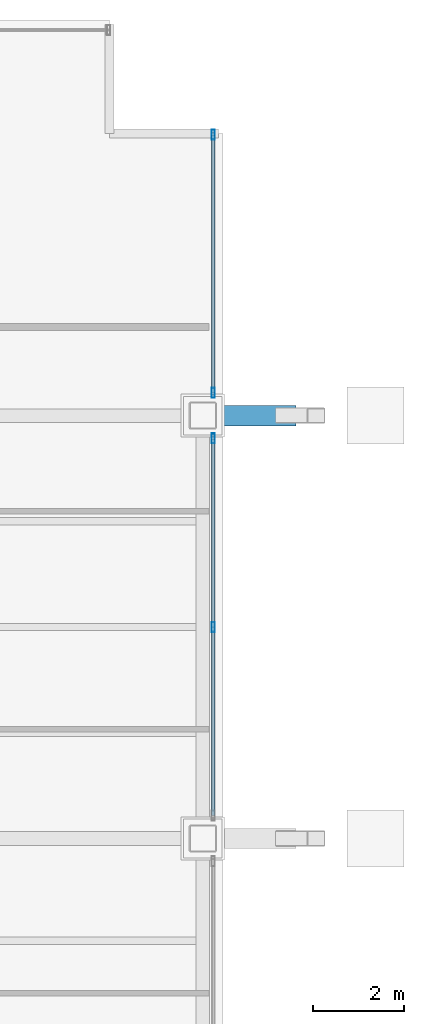
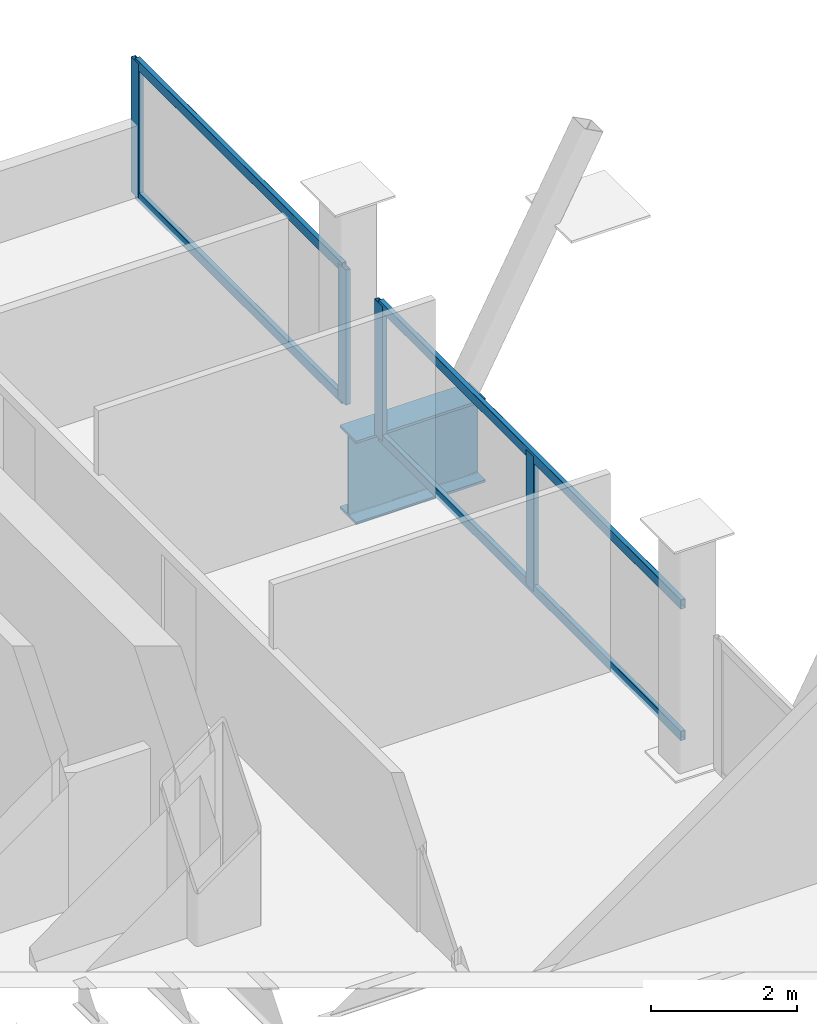
# One storey, part 13 of 21: 8 members, 1 beam, 2 elements without a shape of their own.
"""IFC4 building model written with IfcOpenShell, lengths in metres."""

from ifc_helpers import new_model, si_unit, direction, frame, origin, origin_2d, place, context, subcontext, project, spatial, hollow_rectangle, i_section, extrude, material, material_profile, profile_set, type_object, element, aggregate, save


model = new_model("IFC4")

# Units and contexts
model_context = context("Model", 3, precision=1e-05, world=origin(), true_north=direction((0.0, 1.0)))
body_context = subcontext(model_context, "Body", "Model", "MODEL_VIEW")
ifc_project = project(units=[si_unit("LENGTHUNIT", "METRE"), si_unit("AREAUNIT", "SQUARE_METRE"), si_unit("VOLUMEUNIT", "CUBIC_METRE"), si_unit("PLANEANGLEUNIT", "RADIAN"), si_unit("MASSUNIT", "GRAM", prefix="KILO")], contexts=[model_context])

# Site, building, storey
site_placement = place(None, origin())
site = spatial("IfcSite", under=ifc_project, at=site_placement, CompositionType="ELEMENT")
building_placement = place(site_placement, origin())
building = spatial("IfcBuilding", under=site, at=building_placement, Name="Noeulbin Bourse Tower", CompositionType="ELEMENT")
storey_placement = place(building_placement, frame((0.0, 0.0, 49.89990234375)))
storey = spatial("IfcBuildingStorey", under=building, at=storey_placement, Name="L12", CompositionType="ELEMENT", Elevation=49.89990234375)

# Beam
ifc_material_1 = material(Name="Steel S460", Category="steel")
ifc_material_profile_1 = material_profile(ifc_material_1, i_section(OverallWidth=0.449951171875, OverallDepth=1.39990234375, WebThickness=0.02392578125, FlangeThickness=0.0400390625, FilletRadius=0.02392578125, at=origin_2d()), Name="PG-1400x450x24x40", Category="LoadBearing")
ifc_profile_set_1 = profile_set([ifc_material_profile_1], Name="Steel S460")
beam_type = type_object("IfcBeamType", Name="BM-TRF-1400", PredefinedType="USERDEFINED", material=ifc_profile_set_1)
beam_placement = place(storey_placement, frame((51.550048828125, 38.300048828125, -0.8798828125), z_axis=(1.0, 0.0, 0.0), x_axis=(0.0, 1.0, 0.0)))
element("IfcBeam", 1, at=beam_placement, inside=storey, type_object=beam_type, Name="Transfer Outrigger Corbel L12-03", ObjectType="GIRDER", PredefinedType="USERDEFINED", context=body_context, shape_type="SweptSolid", body=[
    extrude(i_section(OverallWidth=0.449951171875, OverallDepth=1.39990234375, WebThickness=0.02392578125, FlangeThickness=0.0400390625, FilletRadius=0.02392578125, at=origin_2d()), origin(), (0.0, 0.0, 1.0), 2.050048828125),
])

# Curtain wall, members
ifc_material_2 = material(Name="Dark Solar-Control Double Glazing", Category="glass")
curtain_wall_type = type_object("IfcCurtainWallType", Name="CW-SYS-2", PredefinedType="NOTDEFINED", material=ifc_material_2)
curtain_wall_1_placement = place(storey_placement, origin())
curtain_wall_1 = element("IfcCurtainWall", 2, at=curtain_wall_1_placement, inside=storey, type_object=curtain_wall_type, Name="Unitised Curtain Wall CW-L12-E-S3", PredefinedType="NOTDEFINED")
ifc_material_3 = material(Name="Anodised Aluminium 6063-T6", Category="aluminium")
ifc_material_profile_2 = material_profile(ifc_material_3, hollow_rectangle(XDim=0.074951171875, YDim=0.219970703125, WallThickness=0.0048828125, InnerFilletRadius=0.00244140625, OuterFilletRadius=0.0048828125, at=origin_2d()), Name="ALU-MULL-75x220x5", Category="LoadBearing")
ifc_profile_set_2 = profile_set([ifc_material_profile_2], Name="Anodised Aluminium 6063-T6")
member_type_1 = type_object("IfcMemberType", Name="CW-SYS-2-MUL", PredefinedType="MULLION", material=ifc_profile_set_2)
member_1_placement = place(storey_placement, frame((51.780029296875, 33.64990234375, -0.02001953125), z_axis=(0.0, 0.0, 1.0), x_axis=(1.0, 0.0, 0.0)))
member_1 = element("IfcMember", 3, at=member_1_placement, type_object=member_type_1, Name="Curtain Wall Mullion CW-L12-E-S3-M01", PredefinedType="MULLION", context=body_context, shape_type="SweptSolid", body=[
    extrude(hollow_rectangle(XDim=0.074951171875, YDim=0.219970703125, WallThickness=0.0048828125, InnerFilletRadius=0.00244140625, OuterFilletRadius=0.0048828125, at=origin_2d()), origin(), (0.0, 0.0, 1.0), 2.260009765625),
])
member_2_placement = place(storey_placement, frame((51.780029296875, 37.800048828125, -0.02001953125), z_axis=(0.0, 0.0, 1.0), x_axis=(1.0, 0.0, 0.0)))
member_2 = element("IfcMember", 4, at=member_2_placement, type_object=member_type_1, Name="Curtain Wall Mullion CW-L12-E-S3-M02", PredefinedType="MULLION", context=body_context, shape_type="SweptSolid", body=[
    extrude(hollow_rectangle(XDim=0.074951171875, YDim=0.219970703125, WallThickness=0.0048828125, InnerFilletRadius=0.00244140625, OuterFilletRadius=0.0048828125, at=origin_2d()), origin(), (0.0, 0.0, 1.0), 2.260009765625),
])

curtain_wall_2_placement = place(storey_placement, origin())
curtain_wall_2 = element("IfcCurtainWall", 5, at=curtain_wall_2_placement, inside=storey, type_object=curtain_wall_type, Name="Unitised Curtain Wall CW-L12-E-S4", PredefinedType="NOTDEFINED")
member_3_placement = place(storey_placement, frame((51.780029296875, 38.800048828125, -0.02001953125), z_axis=(0.0, 0.0, 1.0), x_axis=(1.0, 0.0, 0.0)))
member_3 = element("IfcMember", 6, at=member_3_placement, type_object=member_type_1, Name="Curtain Wall Mullion CW-L12-E-S4-M00", PredefinedType="MULLION", context=body_context, shape_type="SweptSolid", body=[
    extrude(hollow_rectangle(XDim=0.074951171875, YDim=0.219970703125, WallThickness=0.0048828125, InnerFilletRadius=0.00244140625, OuterFilletRadius=0.0048828125, at=origin_2d()), origin(), (0.0, 0.0, 1.0), 2.260009765625),
])
member_4_placement = place(storey_placement, frame((51.780029296875, 44.47998046875, -0.02001953125), z_axis=(0.0, 0.0, 1.0), x_axis=(1.0, 0.0, 0.0)))
member_4 = element("IfcMember", 7, at=member_4_placement, type_object=member_type_1, Name="Curtain Wall Mullion CW-L12-E-S4-M01", PredefinedType="MULLION", context=body_context, shape_type="SweptSolid", body=[
    extrude(hollow_rectangle(XDim=0.074951171875, YDim=0.219970703125, WallThickness=0.0048828125, InnerFilletRadius=0.00244140625, OuterFilletRadius=0.0048828125, at=origin_2d()), origin(), (0.0, 0.0, 1.0), 2.260009765625),
])

# Member
ifc_material_profile_3 = material_profile(ifc_material_3, hollow_rectangle(XDim=0.074951171875, YDim=0.159912109375, WallThickness=0.0048828125, InnerFilletRadius=0.00244140625, OuterFilletRadius=0.0048828125, at=origin_2d()), Name="ALU-TRAN-75x160x5", Category="LoadBearing")
ifc_profile_set_3 = profile_set([ifc_material_profile_3], Name="Anodised Aluminium 6063-T6")
member_type_2 = type_object("IfcMemberType", Name="CW-SYS-2-TRN", PredefinedType="USERDEFINED", material=ifc_profile_set_3)
member_5_placement = place(storey_placement, frame((51.780029296875, 29.510009765625, 0.010009765625), z_axis=(0.0, 1.0, 0.0), x_axis=(-1.0, 0.0, 0.0)))
member_5 = element("IfcMember", 8, at=member_5_placement, type_object=member_type_2, Name="Curtain Wall Transom CW-L12-E-S3-T00", ObjectType="TRANSOM", PredefinedType="USERDEFINED", context=body_context, shape_type="SweptSolid", body=[
    extrude(hollow_rectangle(XDim=0.074951171875, YDim=0.159912109375, WallThickness=0.0048828125, InnerFilletRadius=0.00244140625, OuterFilletRadius=0.0048828125, at=origin_2d()), origin(), (0.0, 0.0, 1.0), 8.280029296875),
])

member_6_placement = place(storey_placement, frame((51.780029296875, 29.510009765625, 2.210205078125), z_axis=(0.0, 1.0, 0.0), x_axis=(-1.0, 0.0, 0.0)))
member_6 = element("IfcMember", 9, at=member_6_placement, type_object=member_type_2, Name="Curtain Wall Transom CW-L12-E-S3-T01", ObjectType="TRANSOM", PredefinedType="USERDEFINED", context=body_context, shape_type="SweptSolid", body=[
    extrude(hollow_rectangle(XDim=0.074951171875, YDim=0.159912109375, WallThickness=0.0048828125, InnerFilletRadius=0.00244140625, OuterFilletRadius=0.0048828125, at=origin_2d()), origin(), (0.0, 0.0, 1.0), 8.280029296875),
])

aggregate(curtain_wall_1, [member_1, member_2, member_5, member_6])

member_7_placement = place(storey_placement, frame((51.780029296875, 38.81005859375, 0.010009765625), z_axis=(0.0, 1.0, 0.0), x_axis=(-1.0, 0.0, 0.0)))
member_7 = element("IfcMember", 10, at=member_7_placement, type_object=member_type_2, Name="Curtain Wall Transom CW-L12-E-S4-T00", ObjectType="TRANSOM", PredefinedType="USERDEFINED", context=body_context, shape_type="SweptSolid", body=[
    extrude(hollow_rectangle(XDim=0.074951171875, YDim=0.159912109375, WallThickness=0.0048828125, InnerFilletRadius=0.00244140625, OuterFilletRadius=0.0048828125, at=origin_2d()), origin(), (0.0, 0.0, 1.0), 5.659912109375),
])

member_8_placement = place(storey_placement, frame((51.780029296875, 38.81005859375, 2.210205078125), z_axis=(0.0, 1.0, 0.0), x_axis=(-1.0, 0.0, 0.0)))
member_8 = element("IfcMember", 11, at=member_8_placement, type_object=member_type_2, Name="Curtain Wall Transom CW-L12-E-S4-T01", ObjectType="TRANSOM", PredefinedType="USERDEFINED", context=body_context, shape_type="SweptSolid", body=[
    extrude(hollow_rectangle(XDim=0.074951171875, YDim=0.159912109375, WallThickness=0.0048828125, InnerFilletRadius=0.00244140625, OuterFilletRadius=0.0048828125, at=origin_2d()), origin(), (0.0, 0.0, 1.0), 5.659912109375),
])

aggregate(curtain_wall_2, [member_3, member_4, member_7, member_8])

save(model, "model.ifc")
